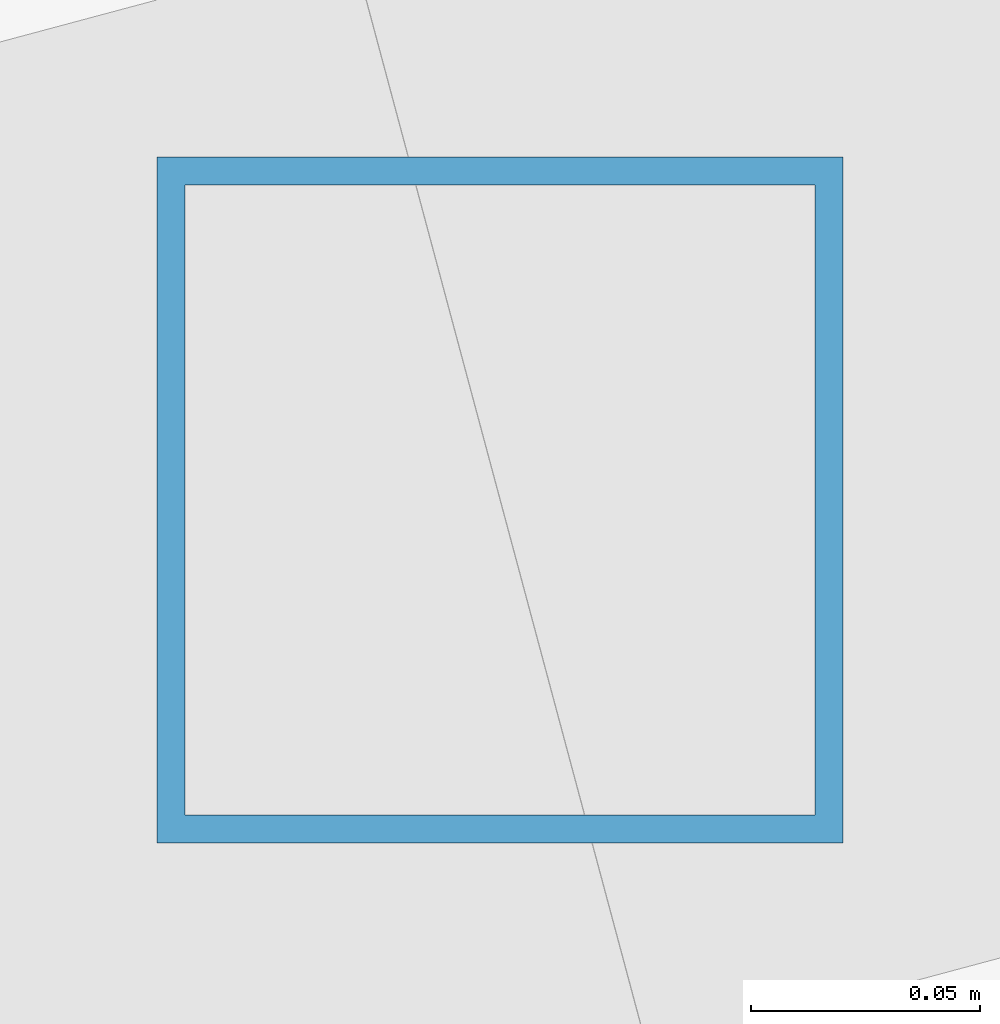
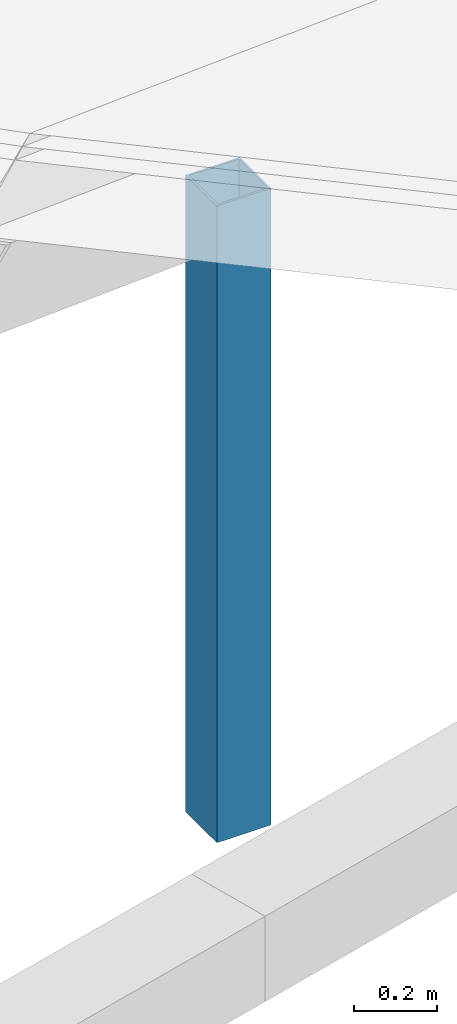
# One storey, part 8 of 70: 1 member.
"""IFC4 building model written with IfcOpenShell, lengths in metres."""

from ifc_helpers import new_model, si_unit, direction, frame, origin, origin_2d, place, context, subcontext, project, spatial, hollow_rectangle, extrude, material, material_profile, profile_set, type_object, element, save


model = new_model("IFC4")

# Units and contexts
model_context = context("Model", 3, precision=1e-05, world=origin(), true_north=direction((0.0, 1.0)))
body_context = subcontext(model_context, "Body", "Model", "MODEL_VIEW")
ifc_project = project(units=[si_unit("LENGTHUNIT", "METRE"), si_unit("AREAUNIT", "SQUARE_METRE"), si_unit("VOLUMEUNIT", "CUBIC_METRE"), si_unit("PLANEANGLEUNIT", "RADIAN"), si_unit("MASSUNIT", "GRAM", prefix="KILO")], contexts=[model_context])

# Site, building, storey
site_placement = place(None, origin())
site = spatial("IfcSite", under=ifc_project, at=site_placement, CompositionType="ELEMENT")
building_placement = place(site_placement, origin())
building = spatial("IfcBuilding", under=site, at=building_placement, Name="Vondelvale Polytechnic", CompositionType="ELEMENT")
storey_placement = place(building_placement, frame((0.0, 0.0, 22.199951171875)))
storey = spatial("IfcBuildingStorey", under=building, at=storey_placement, Name="L05", CompositionType="ELEMENT", Elevation=22.199951171875)

# Member
ifc_material = material(Name="Steel C350L0 (fy = 350 MPa)", Category="steel")
ifc_material_profile = material_profile(ifc_material, hollow_rectangle(XDim=0.14990234375, YDim=0.14990234375, WallThickness=0.006103515625, at=origin_2d()), Name="150x150x6.0SHS")
ifc_profile_set = profile_set([ifc_material_profile], Name="Steel C350L0 (fy = 350 MPa)")
member_type = type_object("IfcMemberType", Name="ROOF TRUSS POST 150SHS", PredefinedType="POST", material=ifc_profile_set)
member_placement = place(storey_placement, frame((66.2607421875, 62.423583984375, 0.0), z_axis=(0.0, 0.0, 1.0), x_axis=(1.0, 0.0, 0.0)))
element("IfcMember", 1, at=member_placement, inside=storey, type_object=member_type, Name="Ring mid roof post 13", PredefinedType="POST", context=body_context, shape_type="SweptSolid", body=[
    extrude(hollow_rectangle(XDim=0.14990234375, YDim=0.14990234375, WallThickness=0.006103515625, at=origin_2d()), origin(), (0.0, 0.0, 1.0), 1.86572265625),
])

save(model, "model.ifc")
